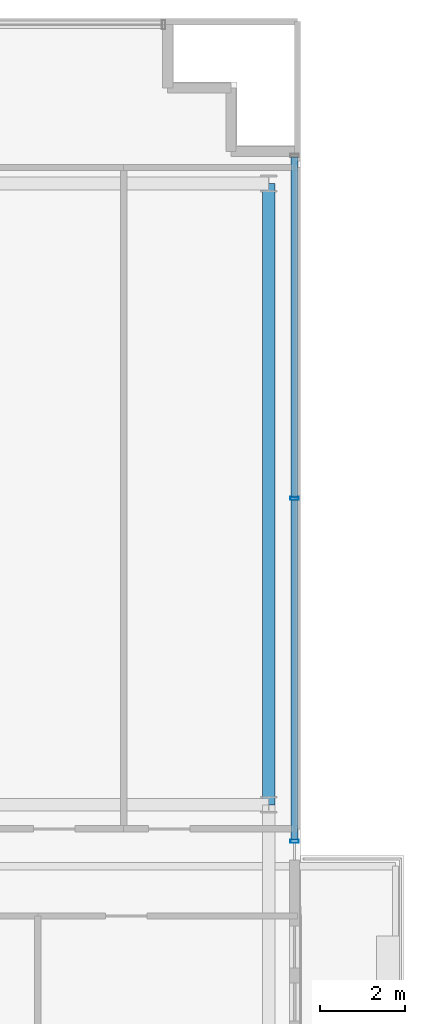
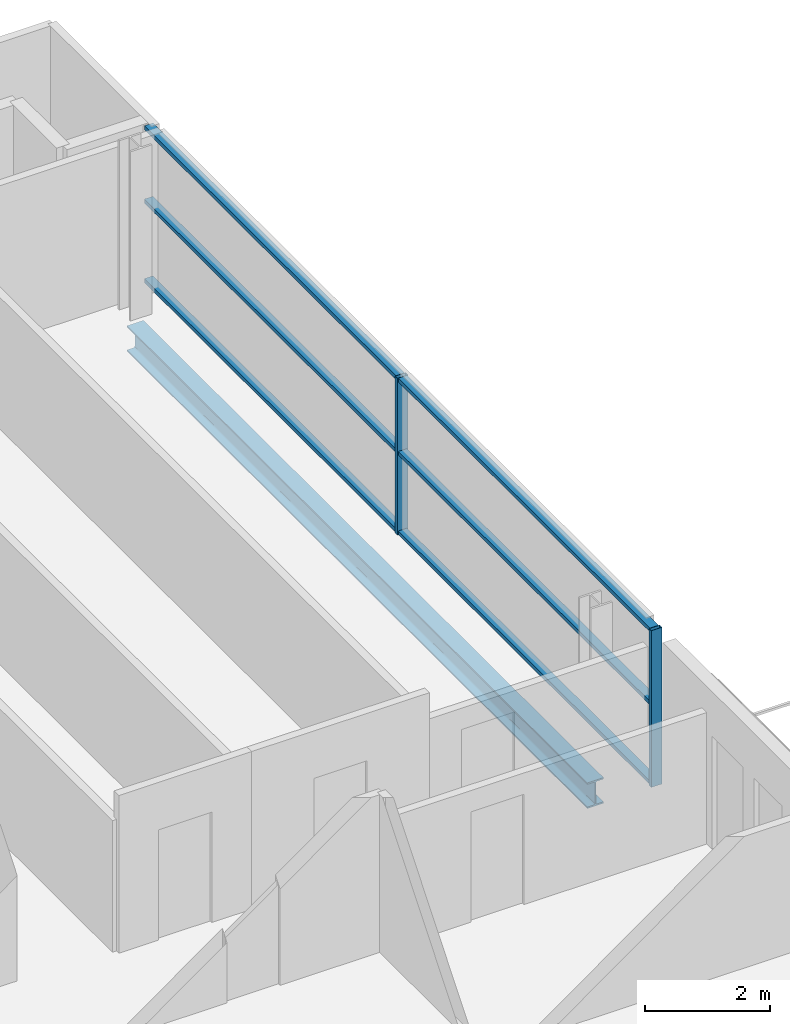
# One storey, part 9 of 21: 8 members, 1 beam, 1 element without a shape of its own.
"""IFC4 building model written with IfcOpenShell, lengths in metres."""

from ifc_helpers import new_model, si_unit, direction, frame, origin, origin_2d, place, context, subcontext, project, spatial, hollow_rectangle, i_section, extrude, source, transform, mapped, material, layer, layer_set, material_profile, profile_set, type_object, element, aggregate, save


model = new_model("IFC4")

# Units and contexts
model_context = context("Model", 3, precision=1e-05, world=origin(), true_north=direction((0.0, 1.0)))
body_context = subcontext(model_context, "Body", "Model", "MODEL_VIEW")
ifc_project = project(units=[si_unit("LENGTHUNIT", "METRE"), si_unit("AREAUNIT", "SQUARE_METRE"), si_unit("VOLUMEUNIT", "CUBIC_METRE"), si_unit("PLANEANGLEUNIT", "RADIAN"), si_unit("MASSUNIT", "GRAM", prefix="KILO")], contexts=[model_context])

# Site, building, storey
site_placement = place(None, origin())
site = spatial("IfcSite", under=ifc_project, at=site_placement, CompositionType="ELEMENT")
building_placement = place(site_placement, origin())
building = spatial("IfcBuilding", under=site, at=building_placement, Name="Zarnakvel Exchange Tower", CompositionType="ELEMENT")
storey_placement = place(building_placement, frame((0.0, 0.0, 189.10009765625)))
storey = spatial("IfcBuildingStorey", under=building, at=storey_placement, Name="L53", CompositionType="ELEMENT", Elevation=189.10009765625)

# Beam
ifc_material_1 = material(Name="Steel S355", Category="steel")
ifc_material_profile_1 = material_profile(ifc_material_1, i_section(OverallWidth=0.300048828125, OverallDepth=0.5, WebThickness=0.014404296875, FlangeThickness=0.028076171875, FilletRadius=0.027099609375, at=origin_2d()))
ifc_profile_set_1 = profile_set([ifc_material_profile_1], Name="Steel S355")
beam_type = type_object("IfcBeamType", Name="SP-02", PredefinedType="SPANDREL", material=ifc_profile_set_1)
beam_placement = place(storey_placement, frame((25.85009765625, -1.199951171875, -0.47509765625), z_axis=(0.0, 1.0, 0.0), x_axis=(-1.0, 0.0, 0.0)))
element("IfcBeam", 1, at=beam_placement, inside=storey, type_object=beam_type, Name="L53 Tower N-S Frame Beam", PredefinedType="SPANDREL", context=body_context, shape_type="SweptSolid", body=[
    extrude(i_section(OverallWidth=0.300048828125, OverallDepth=0.5, WebThickness=0.014404296875, FlangeThickness=0.028076171875, FilletRadius=0.027099609375, at=origin_2d()), origin(), (0.0, 0.0, 1.0), 14.699951171875),
])

# Curtain wall, members
ifc_material_2 = material(Name="Architectural Bronze Anodised Aluminium", Category="aluminium")
ifc_layer = layer(ifc_material_2, 0.199951171875)
ifc_layer_set = layer_set([ifc_layer], Name="Architectural Bronze Anodised Aluminium")
curtain_wall_type = type_object("IfcCurtainWallType", Name="CW-04", PredefinedType="NOTDEFINED", material=ifc_layer_set)
curtain_wall_placement = place(storey_placement, origin())
curtain_wall = element("IfcCurtainWall", 2, at=curtain_wall_placement, inside=storey, type_object=curtain_wall_type, Name="L53 Curtain Wall CW-L53-EN (CW-04)", PredefinedType="NOTDEFINED")
ifc_material_profile_2 = material_profile(ifc_material_2, hollow_rectangle(XDim=0.199951171875, YDim=0.074951171875, WallThickness=0.0048828125, at=origin_2d()))
ifc_profile_set_2 = profile_set([ifc_material_profile_2], Name="Architectural Bronze Anodised Aluminium")
member_type_1 = type_object("IfcMemberType", Name="CWM-04", PredefinedType="MULLION", material=ifc_profile_set_2)
shared_shape_1 = source(origin(), body_context, "Body", "SweptSolid", [
    extrude(hollow_rectangle(XDim=0.199951171875, YDim=0.074951171875, WallThickness=0.0048828125, at=origin_2d()), origin(), (0.0, 0.0, 1.0), 3.054931640625),
])
member_1_placement = place(storey_placement, frame((26.4599609375, -2.0625, 0.0), z_axis=(0.0, 0.0, 1.0), x_axis=(-1.0, 0.0, 0.0)))
member_1 = element("IfcMember", 3, at=member_1_placement, type_object=member_type_1, Name="CW-04 mullion 1", PredefinedType="MULLION", context=body_context, shape_type="MappedRepresentation", body=[
    mapped(shared_shape_1, transform((0.0, 0.0, 0.0), x_axis=(1.0, 0.0, 0.0), y_axis=(0.0, 1.0, 0.0), z_axis=(0.0, 0.0, 1.0), scale=1.0)),
])
member_2_placement = place(storey_placement, frame((26.4599609375, 6.050048828125, 0.0), z_axis=(0.0, 0.0, 1.0), x_axis=(-1.0, 0.0, 0.0)))
member_2 = element("IfcMember", 4, at=member_2_placement, type_object=member_type_1, Name="CW-04 mullion 2", PredefinedType="MULLION", context=body_context, shape_type="MappedRepresentation", body=[
    mapped(shared_shape_1, transform((0.0, 0.0, 0.0), x_axis=(1.0, 0.0, 0.0), y_axis=(0.0, 1.0, 0.0), z_axis=(0.0, 0.0, 1.0), scale=1.0)),
])
ifc_material_profile_3 = material_profile(ifc_material_2, hollow_rectangle(XDim=0.159912109375, YDim=0.074951171875, WallThickness=0.00390625, at=origin_2d()))
ifc_profile_set_3 = profile_set([ifc_material_profile_3], Name="Architectural Bronze Anodised Aluminium")
member_type_2 = type_object("IfcMemberType", Name="CWT-04", PredefinedType="USERDEFINED", material=ifc_profile_set_3)
shared_shape_2 = source(origin(), body_context, "Body", "SweptSolid", [
    extrude(hollow_rectangle(XDim=0.159912109375, YDim=0.074951171875, WallThickness=0.00390625, at=origin_2d()), origin(), (0.0, 0.0, 1.0), 8.037353515625),
])
member_3_placement = place(storey_placement, frame((26.4599609375, -2.02490234375, 0.037353515625), z_axis=(0.0, 1.0, 0.0), x_axis=(-1.0, 0.0, 0.0)))
member_3 = element("IfcMember", 5, at=member_3_placement, type_object=member_type_2, Name="CW-04 transom 1.1", ObjectType="TRANSOM", PredefinedType="USERDEFINED", context=body_context, shape_type="MappedRepresentation", body=[
    mapped(shared_shape_2, transform((0.0, 0.0, 0.0), x_axis=(1.0, 0.0, 0.0), y_axis=(0.0, 1.0, 0.0), z_axis=(0.0, 0.0, 1.0), scale=1.0)),
])
member_4_placement = place(storey_placement, frame((26.4599609375, -2.02490234375, 1.588623046875), z_axis=(0.0, 1.0, 0.0), x_axis=(-1.0, 0.0, 0.0)))
member_4 = element("IfcMember", 6, at=member_4_placement, type_object=member_type_2, Name="CW-04 transom 1.2", ObjectType="TRANSOM", PredefinedType="USERDEFINED", context=body_context, shape_type="MappedRepresentation", body=[
    mapped(shared_shape_2, transform((0.0, 0.0, 0.0), x_axis=(1.0, 0.0, 0.0), y_axis=(0.0, 1.0, 0.0), z_axis=(0.0, 0.0, 1.0), scale=1.0)),
])
member_5_placement = place(storey_placement, frame((26.4599609375, -2.02490234375, 3.017333984375), z_axis=(0.0, 1.0, 0.0), x_axis=(-1.0, 0.0, 0.0)))
member_5 = element("IfcMember", 7, at=member_5_placement, type_object=member_type_2, Name="CW-04 transom 1.3", ObjectType="TRANSOM", PredefinedType="USERDEFINED", context=body_context, shape_type="MappedRepresentation", body=[
    mapped(shared_shape_2, transform((0.0, 0.0, 0.0), x_axis=(1.0, 0.0, 0.0), y_axis=(0.0, 1.0, 0.0), z_axis=(0.0, 0.0, 1.0), scale=1.0)),
])
shared_shape_3 = source(origin(), body_context, "Body", "SweptSolid", [
    extrude(hollow_rectangle(XDim=0.159912109375, YDim=0.074951171875, WallThickness=0.00390625, at=origin_2d()), origin(), (0.0, 0.0, 1.0), 8.03759765625),
])
member_6_placement = place(storey_placement, frame((26.4599609375, 6.08740234375, 0.037353515625), z_axis=(0.0, 1.0, 0.0), x_axis=(-1.0, 0.0, 0.0)))
member_6 = element("IfcMember", 8, at=member_6_placement, type_object=member_type_2, Name="CW-04 transom 2.1", ObjectType="TRANSOM", PredefinedType="USERDEFINED", context=body_context, shape_type="MappedRepresentation", body=[
    mapped(shared_shape_3, transform((0.0, 0.0, 0.0), x_axis=(1.0, 0.0, 0.0), y_axis=(0.0, 1.0, 0.0), z_axis=(0.0, 0.0, 1.0), scale=1.0)),
])
member_7_placement = place(storey_placement, frame((26.4599609375, 6.08740234375, 1.588623046875), z_axis=(0.0, 1.0, 0.0), x_axis=(-1.0, 0.0, 0.0)))
member_7 = element("IfcMember", 9, at=member_7_placement, type_object=member_type_2, Name="CW-04 transom 2.2", ObjectType="TRANSOM", PredefinedType="USERDEFINED", context=body_context, shape_type="MappedRepresentation", body=[
    mapped(shared_shape_3, transform((0.0, 0.0, 0.0), x_axis=(1.0, 0.0, 0.0), y_axis=(0.0, 1.0, 0.0), z_axis=(0.0, 0.0, 1.0), scale=1.0)),
])
member_8_placement = place(storey_placement, frame((26.4599609375, 6.08740234375, 3.017333984375), z_axis=(0.0, 1.0, 0.0), x_axis=(-1.0, 0.0, 0.0)))
member_8 = element("IfcMember", 10, at=member_8_placement, type_object=member_type_2, Name="CW-04 transom 2.3", ObjectType="TRANSOM", PredefinedType="USERDEFINED", context=body_context, shape_type="MappedRepresentation", body=[
    mapped(shared_shape_3, transform((0.0, 0.0, 0.0), x_axis=(1.0, 0.0, 0.0), y_axis=(0.0, 1.0, 0.0), z_axis=(0.0, 0.0, 1.0), scale=1.0)),
])
aggregate(curtain_wall, [member_1, member_2, member_3, member_4, member_5, member_6, member_7, member_8])

save(model, "model.ifc")
